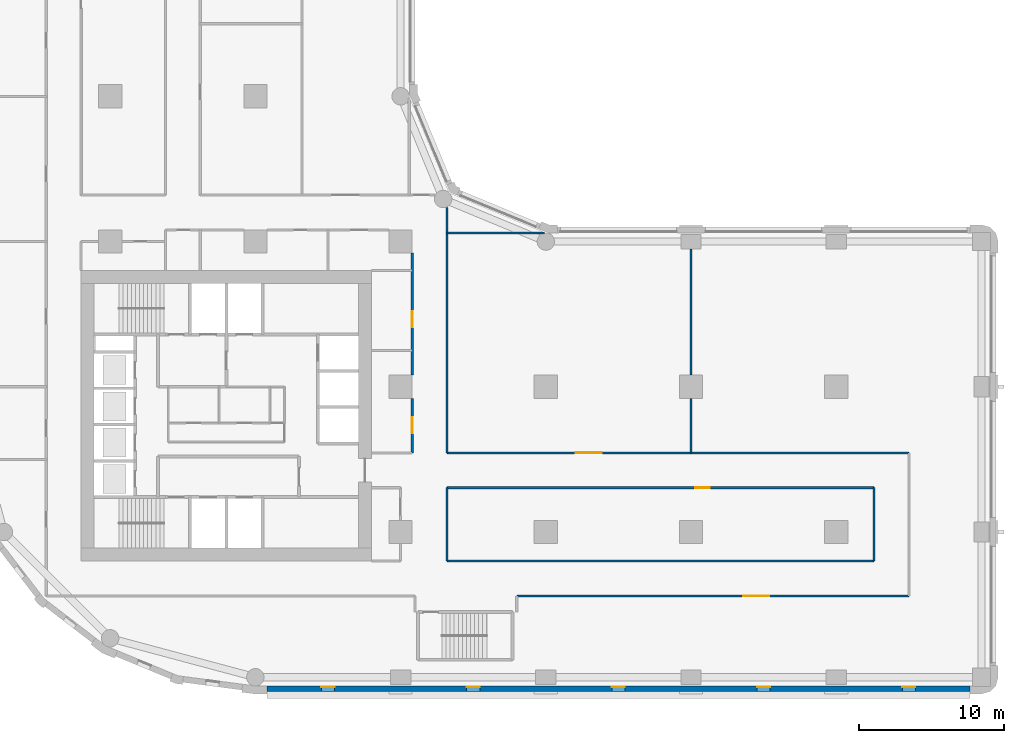
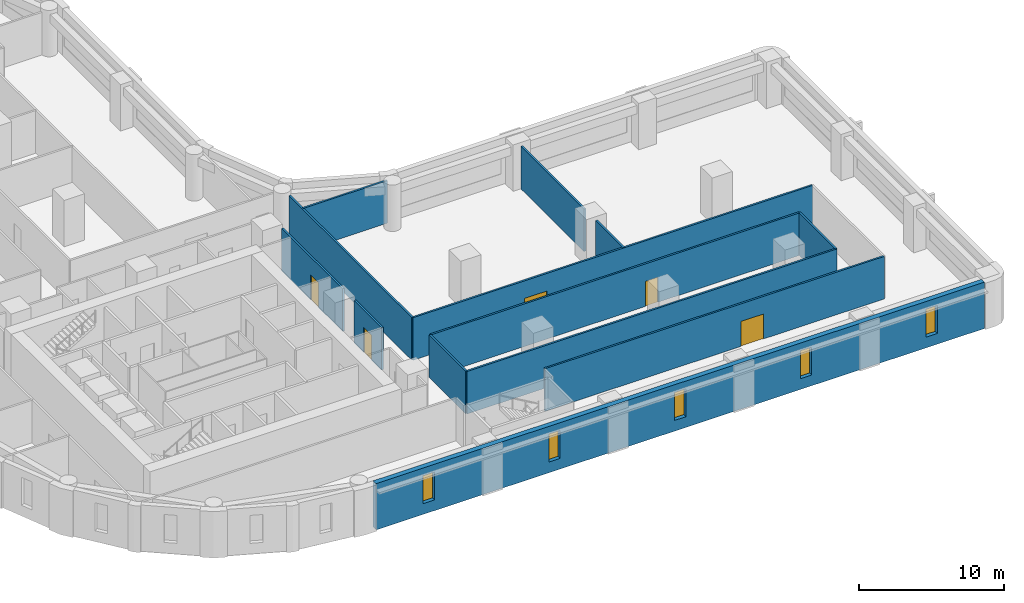
# One storey, part 4 of 10: 13 walls, 5 doors, 5 windows, 10 openings.
"""IFC4 building model written with IfcOpenShell, lengths in metres."""

from ifc_helpers import new_model, si_unit, direction, frame, frame_2d, origin, place, context, subcontext, project, spatial, rectangle, extrude, material, layer, layer_set, type_object, element, fill, save


model = new_model("IFC4")

# Units and contexts
model_context = context("Model", 3, precision=1e-05, world=origin(), true_north=direction((0.0, 1.0)))
body_context = subcontext(model_context, "Body", "Model", "MODEL_VIEW")
ifc_project = project(units=[si_unit("LENGTHUNIT", "METRE"), si_unit("AREAUNIT", "SQUARE_METRE"), si_unit("VOLUMEUNIT", "CUBIC_METRE"), si_unit("PLANEANGLEUNIT", "RADIAN"), si_unit("MASSUNIT", "GRAM", prefix="KILO")], contexts=[model_context])

# Site, building, storey
site_placement = place(None, origin())
site = spatial("IfcSite", under=ifc_project, at=site_placement, CompositionType="ELEMENT")
building_placement = place(site_placement, origin())
building = spatial("IfcBuilding", under=site, at=building_placement, Name="Qaws Garden Tower", CompositionType="ELEMENT")
storey_placement = place(building_placement, frame((0.0, 0.0, 62.699951171875)))
storey = spatial("IfcBuildingStorey", under=building, at=storey_placement, Name="L15", CompositionType="ELEMENT", Elevation=62.699951171875)

# Wall, openings, windows
ifc_material_1 = material(Name="Clay facing brick masonry", Category="masonry")
ifc_layer_1 = layer(ifc_material_1, 0.39990234375)
ifc_layer_set_1 = layer_set([ifc_layer_1], Name="Clay facing brick masonry")
wall_type_1 = type_object("IfcWallType", Name="Brick infill wall 400", PredefinedType="SOLIDWALL", material=ifc_layer_set_1)
wall_1_placement = place(storey_placement, frame((20.800048828125, -0.800048828125, 0.0), z_axis=(0.0, 0.0, 1.0), x_axis=(1.0, 0.0, 0.0)))
wall_1 = element("IfcWall", 1, at=wall_1_placement, inside=storey, type_object=wall_type_1, Name="E-L15-infill-00", PredefinedType="SOLIDWALL", context=body_context, shape_type="SweptSolid", body=[
    extrude(rectangle(XDim=48.39990234375, YDim=0.39990234375, at=frame_2d((24.199951171875, 0.0))), origin(), (0.0, 0.0, 1.0), 3.900146484375),
])
opening_1_placement = place(wall_1_placement, frame((3.75, 0.0, 0.89990234375)))
opening_1 = element("IfcOpeningElement", 2, at=opening_1_placement, cuts=wall_1, Name="Opening W09", PredefinedType="OPENING", context=body_context, shape_type="SweptSolid", body=[
    extrude(rectangle(XDim=0.89990234375, YDim=2.35009765625, at=frame_2d((0.449951171875, 1.175048828125))), frame((0.0, 0.2099609375, 0.0), z_axis=(0.0, -1.0, 0.0), x_axis=(1.0, 0.0, 0.0)), (0.0, 0.0, 1.0), 0.419921875),
])
opening_2_placement = place(wall_1_placement, frame((13.75, 0.0, 0.89990234375)))
opening_2 = element("IfcOpeningElement", 3, at=opening_2_placement, cuts=wall_1, Name="Opening W09", PredefinedType="OPENING", context=body_context, shape_type="SweptSolid", body=[
    extrude(rectangle(XDim=0.89990234375, YDim=2.35009765625, at=frame_2d((0.449951171875, 1.175048828125))), frame((0.0, 0.2099609375, 0.0), z_axis=(0.0, -1.0, 0.0), x_axis=(1.0, 0.0, 0.0)), (0.0, 0.0, 1.0), 0.419921875),
])
opening_3_placement = place(wall_1_placement, frame((23.75, 0.0, 0.89990234375)))
opening_3 = element("IfcOpeningElement", 4, at=opening_3_placement, cuts=wall_1, Name="Opening W09", PredefinedType="OPENING", context=body_context, shape_type="SweptSolid", body=[
    extrude(rectangle(XDim=0.89990234375, YDim=2.35009765625, at=frame_2d((0.449951171875, 1.175048828125))), frame((0.0, 0.2099609375, 0.0), z_axis=(0.0, -1.0, 0.0), x_axis=(1.0, 0.0, 0.0)), (0.0, 0.0, 1.0), 0.419921875),
])
opening_4_placement = place(wall_1_placement, frame((33.75, 0.0, 0.89990234375)))
opening_4 = element("IfcOpeningElement", 5, at=opening_4_placement, cuts=wall_1, Name="Opening W09", PredefinedType="OPENING", context=body_context, shape_type="SweptSolid", body=[
    extrude(rectangle(XDim=0.89990234375, YDim=2.35009765625, at=frame_2d((0.449951171875, 1.175048828125))), frame((0.0, 0.2099609375, 0.0), z_axis=(0.0, -1.0, 0.0), x_axis=(1.0, 0.0, 0.0)), (0.0, 0.0, 1.0), 0.419921875),
])
opening_5_placement = place(wall_1_placement, frame((43.75, 0.0, 0.89990234375)))
opening_5 = element("IfcOpeningElement", 6, at=opening_5_placement, cuts=wall_1, Name="Opening W09", PredefinedType="OPENING", context=body_context, shape_type="SweptSolid", body=[
    extrude(rectangle(XDim=0.89990234375, YDim=2.35009765625, at=frame_2d((0.449951171875, 1.175048828125))), frame((0.0, 0.2099609375, 0.0), z_axis=(0.0, -1.0, 0.0), x_axis=(1.0, 0.0, 0.0)), (0.0, 0.0, 1.0), 0.419921875),
])
ifc_material_2 = material(Name="Aluminium framed window, clear glazing", Category="aluminium")
window_type = type_object("IfcWindowType", Name="Slit window 900 x 2350", PartitioningType="SINGLE_PANEL", PredefinedType="WINDOW", material=ifc_material_2)
window_1_placement = place(opening_1_placement, origin())
window_1 = element("IfcWindow", 7, at=window_1_placement, inside=storey, type_object=window_type, Name="E-L15-window-00-0", OverallHeight=2.35009765625, OverallWidth=0.89990234375, PartitioningType="SINGLE_PANEL", PredefinedType="WINDOW", context=body_context, shape_type="SweptSolid", body=[
    extrude(rectangle(XDim=0.89990234375, YDim=2.35009765625, at=frame_2d((0.449951171875, 1.175048828125))), frame((0.0, 0.159912109375, 0.0), z_axis=(0.0, -1.0, 0.0), x_axis=(1.0, 0.0, 0.0)), (0.0, 0.0, 1.0), 0.06005859375),
])
fill(opening_1, window_1)
window_2_placement = place(opening_2_placement, origin())
window_2 = element("IfcWindow", 8, at=window_2_placement, inside=storey, type_object=window_type, Name="E-L15-window-01-0", OverallHeight=2.35009765625, OverallWidth=0.89990234375, PartitioningType="SINGLE_PANEL", PredefinedType="WINDOW", context=body_context, shape_type="SweptSolid", body=[
    extrude(rectangle(XDim=0.89990234375, YDim=2.35009765625, at=frame_2d((0.449951171875, 1.175048828125))), frame((0.0, 0.159912109375, 0.0), z_axis=(0.0, -1.0, 0.0), x_axis=(1.0, 0.0, 0.0)), (0.0, 0.0, 1.0), 0.06005859375),
])
fill(opening_2, window_2)
window_3_placement = place(opening_3_placement, origin())
window_3 = element("IfcWindow", 9, at=window_3_placement, inside=storey, type_object=window_type, Name="E-L15-window-02-0", OverallHeight=2.35009765625, OverallWidth=0.89990234375, PartitioningType="SINGLE_PANEL", PredefinedType="WINDOW", context=body_context, shape_type="SweptSolid", body=[
    extrude(rectangle(XDim=0.89990234375, YDim=2.35009765625, at=frame_2d((0.449951171875, 1.175048828125))), frame((0.0, 0.159912109375, 0.0), z_axis=(0.0, -1.0, 0.0), x_axis=(1.0, 0.0, 0.0)), (0.0, 0.0, 1.0), 0.06005859375),
])
fill(opening_3, window_3)
window_4_placement = place(opening_4_placement, origin())
window_4 = element("IfcWindow", 10, at=window_4_placement, inside=storey, type_object=window_type, Name="E-L15-window-03-0", OverallHeight=2.35009765625, OverallWidth=0.89990234375, PartitioningType="SINGLE_PANEL", PredefinedType="WINDOW", context=body_context, shape_type="SweptSolid", body=[
    extrude(rectangle(XDim=0.89990234375, YDim=2.35009765625, at=frame_2d((0.449951171875, 1.175048828125))), frame((0.0, 0.159912109375, 0.0), z_axis=(0.0, -1.0, 0.0), x_axis=(1.0, 0.0, 0.0)), (0.0, 0.0, 1.0), 0.06005859375),
])
fill(opening_4, window_4)
window_5_placement = place(opening_5_placement, origin())
window_5 = element("IfcWindow", 11, at=window_5_placement, inside=storey, type_object=window_type, Name="E-L15-window-04-0", OverallHeight=2.35009765625, OverallWidth=0.89990234375, PartitioningType="SINGLE_PANEL", PredefinedType="WINDOW", context=body_context, shape_type="SweptSolid", body=[
    extrude(rectangle(XDim=0.89990234375, YDim=2.35009765625, at=frame_2d((0.449951171875, 1.175048828125))), frame((0.0, 0.159912109375, 0.0), z_axis=(0.0, -1.0, 0.0), x_axis=(1.0, 0.0, 0.0)), (0.0, 0.0, 1.0), 0.06005859375),
])
fill(opening_5, window_5)

# Wall, opening, door
ifc_material_3 = material(Name="Gypsum board partition")
ifc_layer_2 = layer(ifc_material_3, 0.14990234375)
ifc_layer_set_2 = layer_set([ifc_layer_2], Name="Gypsum board partition")
wall_type_2 = type_object("IfcWallType", Name="PARTITION 150 EI 60", PredefinedType="PARTITIONING", material=ifc_layer_set_2)
wall_2_placement = place(storey_placement, frame((30.800048828125, 15.449951171875, 0.0), z_axis=(0.0, 0.0, 1.0), x_axis=(0.0, 1.0, 0.0)))
wall_2 = element("IfcWall", 12, at=wall_2_placement, inside=storey, type_object=wall_type_2, Name="O-L15-wall-016", PredefinedType="PARTITIONING", context=body_context, shape_type="SweptSolid", body=[
    extrude(rectangle(XDim=3.75, YDim=0.14990234375, at=frame_2d((1.875, 0.0))), origin(), (0.0, 0.0, 1.0), 3.580078125),
])
opening_6_placement = place(wall_2_placement, frame((1.35009765625, 0.0, 0.0)))
opening_6 = element("IfcOpeningElement", 13, at=opening_6_placement, cuts=wall_2, Name="Opening A503", PredefinedType="OPENING", context=body_context, shape_type="SweptSolid", body=[
    extrude(rectangle(XDim=1.10009765625, YDim=2.10009765625, at=frame_2d((0.550048828125, 1.050048828125))), frame((0.0, 0.0849609375, 0.0), z_axis=(0.0, -1.0, 0.0), x_axis=(1.0, 0.0, 0.0)), (0.0, 0.0, 1.0), 0.169921875),
])
ifc_material_4 = material(Name="Timber door leaf", Category="wood")
door_type_1 = type_object("IfcDoorType", Name="SERVICE ROOM DOOR 1100 X 2100", OperationType="SINGLE_SWING_LEFT", PredefinedType="DOOR", material=ifc_material_4)
door_1_placement = place(opening_6_placement, origin())
door_1 = element("IfcDoor", 14, at=door_1_placement, inside=storey, type_object=door_type_1, Name="O-L15-door-003", OperationType="SINGLE_SWING_RIGHT", OverallHeight=2.10009765625, OverallWidth=1.10009765625, PredefinedType="DOOR", context=body_context, shape_type="SweptSolid", body=[
    extrude(rectangle(XDim=1.10009765625, YDim=2.10009765625, at=frame_2d((0.550048828125, 1.050048828125))), frame((0.0, 0.02490234375, 0.0), z_axis=(0.0, -1.0, 0.0), x_axis=(1.0, 0.0, 0.0)), (0.0, 0.0, 1.0), 0.050048828125),
])
fill(opening_6, door_1)

wall_3_placement = place(storey_placement, frame((30.800048828125, 20.800048828125, 0.0), z_axis=(0.0, 0.0, 1.0), x_axis=(0.0, 1.0, 0.0)))
wall_3 = element("IfcWall", 15, at=wall_3_placement, inside=storey, type_object=wall_type_2, Name="O-L15-wall-017", PredefinedType="PARTITIONING", context=body_context, shape_type="SweptSolid", body=[
    extrude(rectangle(XDim=8.39990234375, YDim=0.14990234375, at=frame_2d((4.199951171875, 0.0))), origin(), (0.0, 0.0, 1.0), 3.580078125),
])
opening_7_placement = place(wall_3_placement, frame((3.300048828125, 0.0, 0.0)))
opening_7 = element("IfcOpeningElement", 16, at=opening_7_placement, cuts=wall_3, Name="Opening A504", PredefinedType="OPENING", context=body_context, shape_type="SweptSolid", body=[
    extrude(rectangle(XDim=1.10009765625, YDim=2.10009765625, at=frame_2d((0.550048828125, 1.050048828125))), frame((0.0, 0.0849609375, 0.0), z_axis=(0.0, -1.0, 0.0), x_axis=(1.0, 0.0, 0.0)), (0.0, 0.0, 1.0), 0.169921875),
])
door_2_placement = place(opening_7_placement, origin())
door_2 = element("IfcDoor", 17, at=door_2_placement, inside=storey, type_object=door_type_1, Name="O-L15-door-004", OperationType="SINGLE_SWING_RIGHT", OverallHeight=2.10009765625, OverallWidth=1.10009765625, PredefinedType="DOOR", context=body_context, shape_type="SweptSolid", body=[
    extrude(rectangle(XDim=1.10009765625, YDim=2.10009765625, at=frame_2d((0.550048828125, 1.050048828125))), frame((0.0, 0.02490234375, 0.0), z_axis=(0.0, -1.0, 0.0), x_axis=(1.0, 0.0, 0.0)), (0.0, 0.0, 1.0), 0.050048828125),
])
fill(opening_7, door_2)

# Walls
wall_4_placement = place(storey_placement, frame((33.199951171875, 8.0, 0.0), z_axis=(0.0, 0.0, 1.0), x_axis=(0.0, 1.0, 0.0)))
element("IfcWall", 18, at=wall_4_placement, inside=storey, type_object=wall_type_2, Name="O-L15-wall-019", PredefinedType="PARTITIONING", context=body_context, shape_type="SweptSolid", body=[
    extrude(rectangle(XDim=5.050048828125, YDim=0.14990234375, at=frame_2d((2.52490234375, 0.0))), origin(), (0.0, 0.0, 1.0), 3.580078125),
])
wall_5_placement = place(storey_placement, frame((33.199951171875, 15.449951171875, 0.0), z_axis=(0.0, 0.0, 1.0), x_axis=(0.0, 1.0, 0.0)))
element("IfcWall", 19, at=wall_5_placement, inside=storey, type_object=wall_type_2, Name="O-L15-wall-020", PredefinedType="PARTITIONING", context=body_context, shape_type="SweptSolid", body=[
    extrude(rectangle(XDim=16.912109375, YDim=0.14990234375, at=frame_2d((8.4560546875, 0.0))), origin(), (0.0, 0.0, 1.0), 3.580078125),
])
wall_6_placement = place(storey_placement, frame((50.0, 15.449951171875, 0.0), z_axis=(0.0, 0.0, 1.0), x_axis=(0.0, 1.0, 0.0)))
element("IfcWall", 20, at=wall_6_placement, inside=storey, type_object=wall_type_2, Name="O-L15-wall-022", PredefinedType="PARTITIONING", context=body_context, shape_type="SweptSolid", body=[
    extrude(rectangle(XDim=3.75, YDim=0.14990234375, at=frame_2d((1.875, 0.0))), origin(), (0.0, 0.0, 1.0), 3.580078125),
])
wall_7_placement = place(storey_placement, frame((50.0, 20.800048828125, 0.0), z_axis=(0.0, 0.0, 1.0), x_axis=(0.0, 1.0, 0.0)))
element("IfcWall", 21, at=wall_7_placement, inside=storey, type_object=wall_type_2, Name="O-L15-wall-023", PredefinedType="PARTITIONING", context=body_context, shape_type="SweptSolid", body=[
    extrude(rectangle(XDim=8.699951171875, YDim=0.14990234375, at=frame_2d((4.35009765625, 0.0))), origin(), (0.0, 0.0, 1.0), 3.580078125),
])
wall_8_placement = place(storey_placement, frame((62.60009765625, 8.0, 0.0), z_axis=(0.0, 0.0, 1.0), x_axis=(0.0, 1.0, 0.0)))
element("IfcWall", 22, at=wall_8_placement, inside=storey, type_object=wall_type_2, Name="O-L15-wall-024", PredefinedType="PARTITIONING", context=body_context, shape_type="SweptSolid", body=[
    extrude(rectangle(XDim=5.050048828125, YDim=0.14990234375, at=frame_2d((2.52490234375, 0.0))), origin(), (0.0, 0.0, 1.0), 3.580078125),
])

# Wall, opening, door
wall_9_placement = place(storey_placement, frame((38.0, 5.60009765625, 0.0), z_axis=(0.0, 0.0, 1.0), x_axis=(1.0, 0.0, 0.0)))
wall_9 = element("IfcWall", 23, at=wall_9_placement, inside=storey, type_object=wall_type_2, Name="O-L15-wall-027", PredefinedType="PARTITIONING", context=body_context, shape_type="SweptSolid", body=[
    extrude(rectangle(XDim=27.0, YDim=0.14990234375, at=frame_2d((13.5, 0.0))), origin(), (0.0, 0.0, 1.0), 3.580078125),
])
opening_8_placement = place(wall_9_placement, frame((15.60009765625, 0.0, 0.0)))
opening_8 = element("IfcOpeningElement", 24, at=opening_8_placement, cuts=wall_9, Name="Opening A521", PredefinedType="OPENING", context=body_context, shape_type="SweptSolid", body=[
    extrude(rectangle(XDim=1.800048828125, YDim=2.10009765625, at=frame_2d((0.89990234375, 1.050048828125))), frame((0.0, 0.0849609375, 0.0), z_axis=(0.0, -1.0, 0.0), x_axis=(1.0, 0.0, 0.0)), (0.0, 0.0, 1.0), 0.169921875),
])
ifc_material_5 = material(Name="Timber door leaf", Category="wood")
door_type_2 = type_object("IfcDoorType", Name="DOUBLE DOOR 1800 X 2100", OperationType="DOUBLE_DOOR_SINGLE_SWING", PredefinedType="DOOR", material=ifc_material_5)
door_3_placement = place(opening_8_placement, frame((1.800048828125, 0.0, 0.0), z_axis=(0.0, 0.0, 1.0), x_axis=(-1.0, 0.0, 0.0)))
door_3 = element("IfcDoor", 25, at=door_3_placement, inside=storey, type_object=door_type_2, Name="O-L15-door-021", OperationType="DOUBLE_DOOR_SINGLE_SWING", OverallHeight=2.10009765625, OverallWidth=1.800048828125, PredefinedType="DOOR", context=body_context, shape_type="SweptSolid", body=[
    extrude(rectangle(XDim=1.800048828125, YDim=2.10009765625, at=frame_2d((0.89990234375, 1.050048828125))), frame((0.0, 0.02490234375, 0.0), z_axis=(0.0, -1.0, 0.0), x_axis=(1.0, 0.0, 0.0)), (0.0, 0.0, 1.0), 0.050048828125),
])
fill(opening_8, door_3)

# Wall
wall_10_placement = place(storey_placement, frame((33.199951171875, 8.0, 0.0), z_axis=(0.0, 0.0, 1.0), x_axis=(1.0, 0.0, 0.0)))
element("IfcWall", 26, at=wall_10_placement, inside=storey, type_object=wall_type_2, Name="O-L15-wall-029", PredefinedType="PARTITIONING", context=body_context, shape_type="SweptSolid", body=[
    extrude(rectangle(XDim=29.400146484375, YDim=0.14990234375, at=frame_2d((14.7001953125, 0.0))), origin(), (0.0, 0.0, 1.0), 3.580078125),
])

# Wall, opening, door
wall_11_placement = place(storey_placement, frame((33.199951171875, 13.050048828125, 0.0), z_axis=(0.0, 0.0, 1.0), x_axis=(1.0, 0.0, 0.0)))
wall_11 = element("IfcWall", 27, at=wall_11_placement, inside=storey, type_object=wall_type_2, Name="O-L15-wall-031", PredefinedType="PARTITIONING", context=body_context, shape_type="SweptSolid", body=[
    extrude(rectangle(XDim=29.400146484375, YDim=0.14990234375, at=frame_2d((14.7001953125, 0.0))), origin(), (0.0, 0.0, 1.0), 3.580078125),
])
opening_9_placement = place(wall_11_placement, frame((17.10009765625, 0.0, 0.0)))
opening_9 = element("IfcOpeningElement", 28, at=opening_9_placement, cuts=wall_11, Name="Opening A522", PredefinedType="OPENING", context=body_context, shape_type="SweptSolid", body=[
    extrude(rectangle(XDim=1.0, YDim=2.10009765625, at=frame_2d((0.5, 1.050048828125))), frame((0.0, 0.0849609375, 0.0), z_axis=(0.0, -1.0, 0.0), x_axis=(1.0, 0.0, 0.0)), (0.0, 0.0, 1.0), 0.169921875),
])
ifc_material_6 = material(Name="Timber door leaf", Category="wood")
door_type_3 = type_object("IfcDoorType", Name="TENANCY ENTRANCE DOOR 1000 X 2100", OperationType="SINGLE_SWING_LEFT", PredefinedType="DOOR", material=ifc_material_6)
door_4_placement = place(opening_9_placement, frame((1.0, 0.0, 0.0), z_axis=(0.0, 0.0, 1.0), x_axis=(-1.0, 0.0, 0.0)))
door_4 = element("IfcDoor", 29, at=door_4_placement, inside=storey, type_object=door_type_3, Name="O-L15-door-022", OperationType="SINGLE_SWING_RIGHT", OverallHeight=2.10009765625, OverallWidth=1.0, PredefinedType="DOOR", context=body_context, shape_type="SweptSolid", body=[
    extrude(rectangle(XDim=1.0, YDim=2.10009765625, at=frame_2d((0.5, 1.050048828125))), frame((0.0, 0.02490234375, 0.0), z_axis=(0.0, -1.0, 0.0), x_axis=(1.0, 0.0, 0.0)), (0.0, 0.0, 1.0), 0.050048828125),
])
fill(opening_9, door_4)

wall_12_placement = place(storey_placement, frame((33.199951171875, 15.449951171875, 0.0), z_axis=(0.0, 0.0, 1.0), x_axis=(1.0, 0.0, 0.0)))
wall_12 = element("IfcWall", 30, at=wall_12_placement, inside=storey, type_object=wall_type_2, Name="O-L15-wall-034", PredefinedType="PARTITIONING", context=body_context, shape_type="SweptSolid", body=[
    extrude(rectangle(XDim=31.800048828125, YDim=0.14990234375, at=frame_2d((15.89990234375, 0.0))), origin(), (0.0, 0.0, 1.0), 3.580078125),
])
opening_10_placement = place(wall_12_placement, frame((8.85009765625, 0.0, 0.0)))
opening_10 = element("IfcOpeningElement", 31, at=opening_10_placement, cuts=wall_12, Name="Opening A523", PredefinedType="OPENING", context=body_context, shape_type="SweptSolid", body=[
    extrude(rectangle(XDim=1.800048828125, YDim=2.10009765625, at=frame_2d((0.89990234375, 1.050048828125))), frame((0.0, 0.0849609375, 0.0), z_axis=(0.0, -1.0, 0.0), x_axis=(1.0, 0.0, 0.0)), (0.0, 0.0, 1.0), 0.169921875),
])
door_5_placement = place(opening_10_placement, origin())
door_5 = element("IfcDoor", 32, at=door_5_placement, inside=storey, type_object=door_type_2, Name="O-L15-door-023", OperationType="DOUBLE_DOOR_SINGLE_SWING", OverallHeight=2.10009765625, OverallWidth=1.800048828125, PredefinedType="DOOR", context=body_context, shape_type="SweptSolid", body=[
    extrude(rectangle(XDim=1.800048828125, YDim=2.10009765625, at=frame_2d((0.89990234375, 1.050048828125))), frame((0.0, 0.02490234375, 0.0), z_axis=(0.0, -1.0, 0.0), x_axis=(1.0, 0.0, 0.0)), (0.0, 0.0, 1.0), 0.050048828125),
])
fill(opening_10, door_5)

# Wall
wall_13_placement = place(storey_placement, frame((33.199951171875, 30.60009765625, 0.0), z_axis=(0.0, 0.0, 1.0), x_axis=(1.0, 0.0, 0.0)))
element("IfcWall", 33, at=wall_13_placement, inside=storey, type_object=wall_type_2, Name="O-L15-wall-041", PredefinedType="PARTITIONING", context=body_context, shape_type="SweptSolid", body=[
    extrude(rectangle(XDim=6.698974609375, YDim=0.14990234375, at=frame_2d((3.349609375, 0.0))), origin(), (0.0, 0.0, 1.0), 3.580078125),
])

save(model, "model.ifc")
